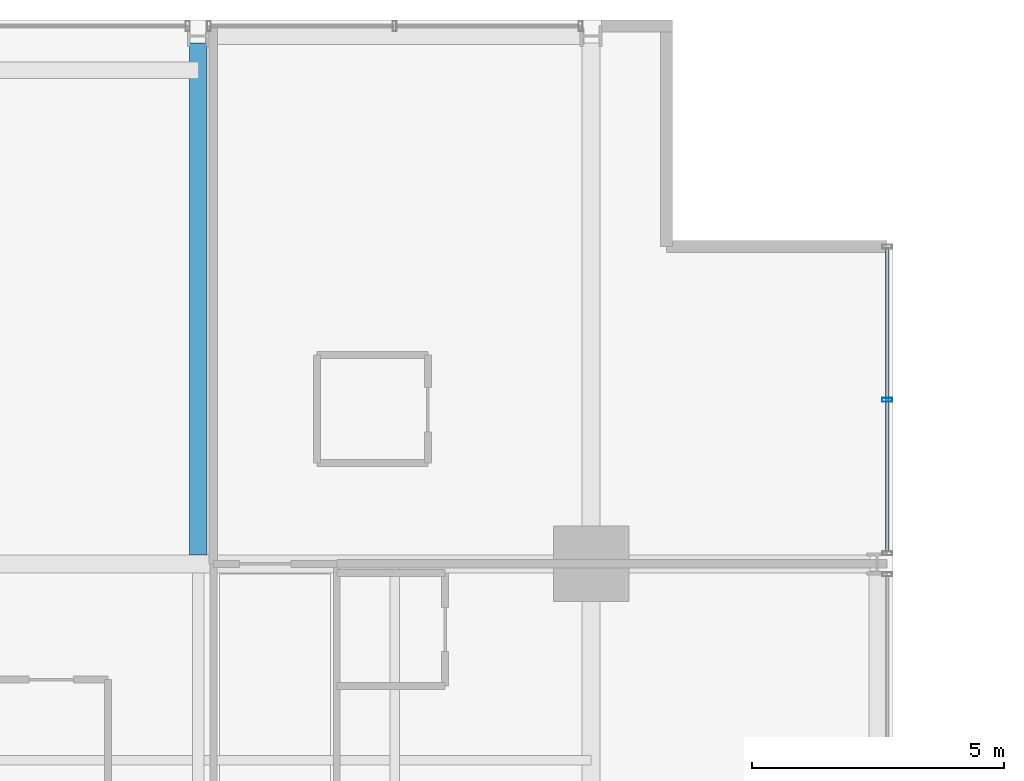
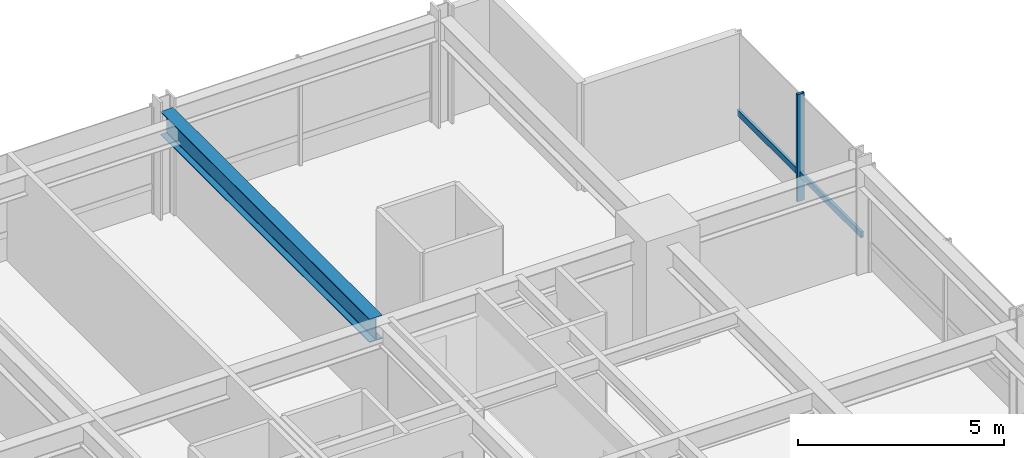
# One storey, part 24 of 35: 2 members, 1 beam, 1 element without a shape of its own.
"""IFC4 building model written with IfcOpenShell, lengths in metres."""

from ifc_helpers import new_model, si_unit, direction, frame, origin, origin_2d, place, context, subcontext, project, spatial, hollow_rectangle, i_section, extrude, material, layer, layer_set, material_profile, profile_set, type_object, element, aggregate, save


model = new_model("IFC4")

# Units and contexts
model_context = context("Model", 3, precision=1e-05, world=origin(), true_north=direction((0.0, 1.0)))
body_context = subcontext(model_context, "Body", "Model", "MODEL_VIEW")
ifc_project = project(units=[si_unit("LENGTHUNIT", "METRE"), si_unit("AREAUNIT", "SQUARE_METRE"), si_unit("VOLUMEUNIT", "CUBIC_METRE"), si_unit("PLANEANGLEUNIT", "RADIAN"), si_unit("MASSUNIT", "GRAM", prefix="KILO")], contexts=[model_context])

# Site, building, storey
site_placement = place(None, origin())
site = spatial("IfcSite", under=ifc_project, at=site_placement, CompositionType="ELEMENT")
building_placement = place(site_placement, origin())
building = spatial("IfcBuilding", under=site, at=building_placement, Name="Drelvath Grand Hotel", CompositionType="ELEMENT")
storey_placement = place(building_placement, frame((0.0, 0.0, 137.300048828125)))
storey = spatial("IfcBuildingStorey", under=building, at=storey_placement, Name="L35", CompositionType="ELEMENT", Elevation=137.300048828125)

# Curtain wall, members
ifc_material_1 = material(Name="Champagne Bronze Anodised Aluminium Frame", Category="aluminium")
ifc_layer = layer(ifc_material_1, 0.199951171875)
ifc_layer_set = layer_set([ifc_layer], Name="Champagne Bronze Anodised Aluminium Frame")
curtain_wall_type = type_object("IfcCurtainWallType", Name="Stick Curtain Wall CW-03 Champagne Bronze Mid-Rise", PredefinedType="NOTDEFINED", material=ifc_layer_set)
curtain_wall_placement = place(storey_placement, origin())
curtain_wall = element("IfcCurtainWall", 1, at=curtain_wall_placement, inside=storey, type_object=curtain_wall_type, Name="L35 CW-03 Curtain Wall CW03-L35-EN3", PredefinedType="NOTDEFINED")
ifc_material_profile_1 = material_profile(ifc_material_1, hollow_rectangle(XDim=0.074951171875, YDim=0.179931640625, WallThickness=0.0048828125, at=origin_2d()), Name="HSS180X75X5")
ifc_profile_set_1 = profile_set([ifc_material_profile_1], Name="Champagne Bronze Anodised Aluminium Frame")
member_type_1 = type_object("IfcMemberType", Name="Curtain Wall Horizontal Transom CW-03 HSS180X75X5", PredefinedType="USERDEFINED", material=ifc_profile_set_1)
member_1_placement = place(storey_placement, frame((22.080078125, 49.4599609375, 0.794921875), z_axis=(0.0, -1.0, 0.0), x_axis=(1.0, 0.0, 0.0)))
member_1 = element("IfcMember", 2, at=member_1_placement, type_object=member_type_1, Name="CW03-L35-EN3 Sill Transom", ObjectType="TRANSOM", PredefinedType="USERDEFINED", context=body_context, shape_type="SweptSolid", body=[
    extrude(hollow_rectangle(XDim=0.074951171875, YDim=0.179931640625, WallThickness=0.0048828125, at=origin_2d()), origin(), (0.0, 0.0, 1.0), 6.010498046875),
])
ifc_material_profile_2 = material_profile(ifc_material_1, hollow_rectangle(XDim=0.080078125, YDim=0.199951171875, WallThickness=0.0048828125, at=origin_2d()), Name="HSS200X80X5")
ifc_profile_set_2 = profile_set([ifc_material_profile_2], Name="Champagne Bronze Anodised Aluminium Frame")
member_type_2 = type_object("IfcMemberType", Name="Curtain Wall Vertical Mullion CW-03 HSS200X80X5", PredefinedType="MULLION", material=ifc_profile_set_2)
member_2_placement = place(storey_placement, frame((22.080078125, 46.45458984375, 0.0), z_axis=(0.0, 0.0, 1.0), x_axis=(0.0, 1.0, 0.0)))
member_2 = element("IfcMember", 3, at=member_2_placement, type_object=member_type_2, Name="CW03-L35-EN3 Mullion 2", PredefinedType="MULLION", context=body_context, shape_type="SweptSolid", body=[
    extrude(hollow_rectangle(XDim=0.080078125, YDim=0.199951171875, WallThickness=0.0048828125, at=origin_2d()), origin(), (0.0, 0.0, 1.0), 3.179931640625),
])
aggregate(curtain_wall, [member_2, member_1])

# Beam
ifc_material_2 = material(Name="Steel ASTM A992 Gr 50", Category="steel")
ifc_material_profile_3 = material_profile(ifc_material_2, i_section(OverallWidth=0.354736328125, OverallDepth=0.695556640625, WebThickness=0.015380859375, FlangeThickness=0.025146484375, FilletRadius=0.02392578125, at=origin_2d()), Name="W27X146")
ifc_profile_set_3 = profile_set([ifc_material_profile_3], Name="Steel ASTM A992 Gr 50")
beam_type = type_object("IfcBeamType", Name="Primary Floor Girder W27X146", PredefinedType="BEAM", material=ifc_profile_set_3)
beam_placement = place(storey_placement, frame((8.39990234375, 43.37744140625, 2.83203125), z_axis=(0.0, 1.0, 0.0), x_axis=(-1.0, 0.0, 0.0)))
element("IfcBeam", 4, at=beam_placement, inside=storey, type_object=beam_type, Name="L35 North Wing Girder 6", PredefinedType="BEAM", context=body_context, shape_type="SweptSolid", body=[
    extrude(i_section(OverallWidth=0.354736328125, OverallDepth=0.695556640625, WebThickness=0.015380859375, FlangeThickness=0.025146484375, FilletRadius=0.02392578125, at=origin_2d()), origin(), (0.0, 0.0, 1.0), 10.16259765625),
])

save(model, "model.ifc")
